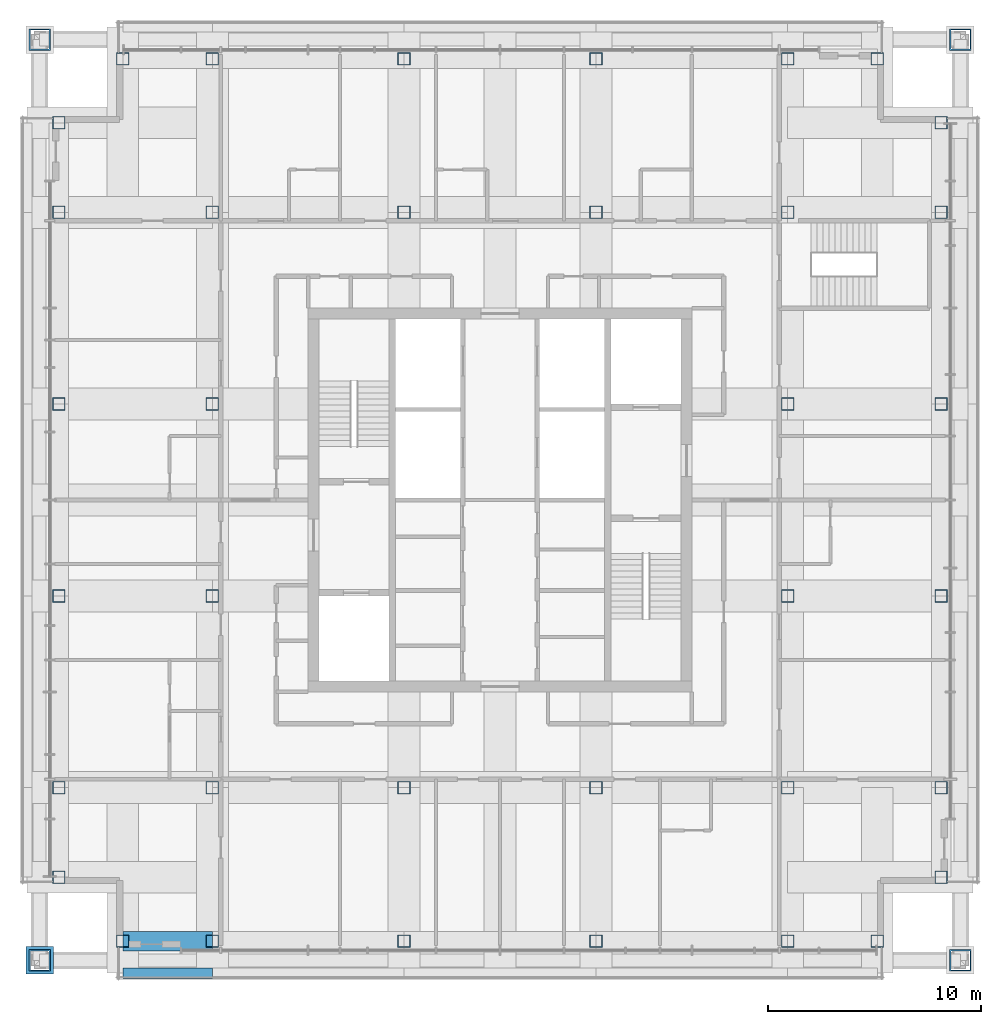
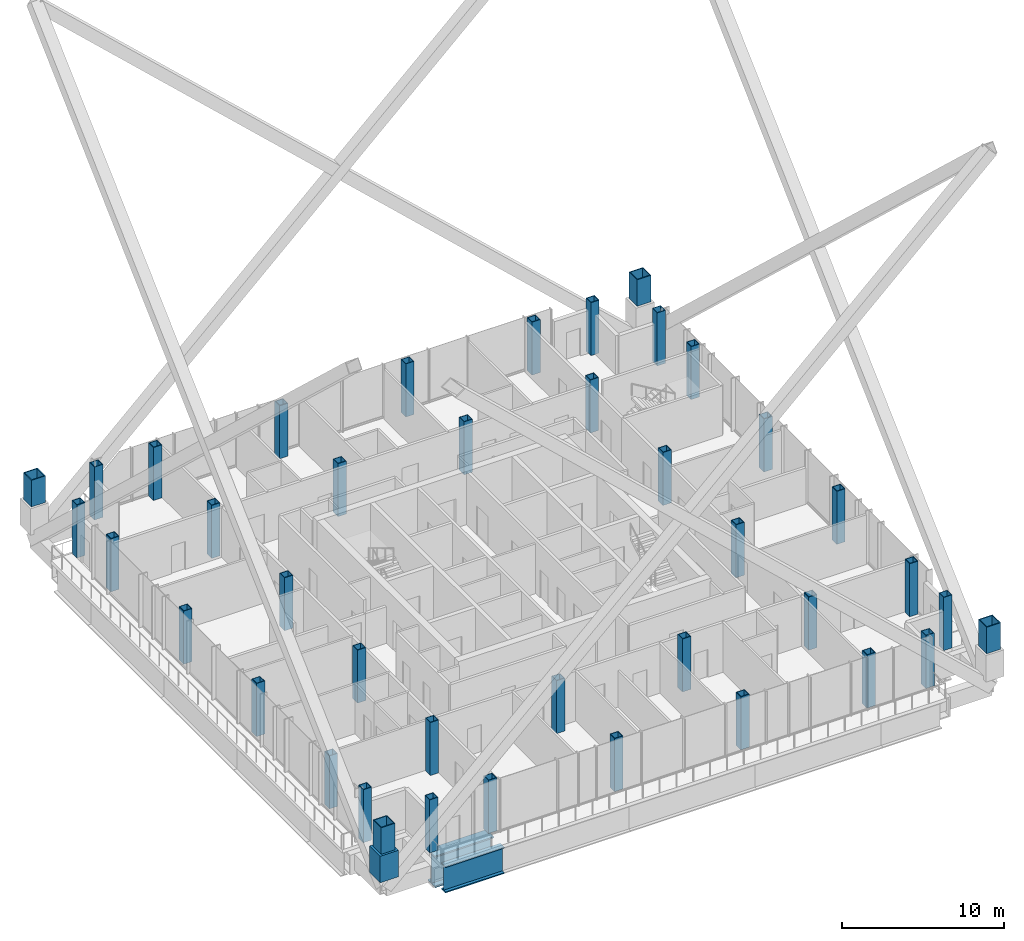
# One storey, part 1 of 19: 40 columns, 2 beams, 1 member.
"""IFC4 building model written with IfcOpenShell, lengths in metres."""

from ifc_helpers import new_model, si_unit, direction, frame, origin, origin_2d, place, context, subcontext, project, spatial, hollow_rectangle, i_section, extrude, material, material_profile, profile_set, type_object, element, save


model = new_model("IFC4")

# Units and contexts
model_context = context("Model", 3, precision=1e-05, world=origin(), true_north=direction((0.0, 1.0)))
body_context = subcontext(model_context, "Body", "Model", "MODEL_VIEW")
ifc_project = project(units=[si_unit("LENGTHUNIT", "METRE"), si_unit("AREAUNIT", "SQUARE_METRE"), si_unit("VOLUMEUNIT", "CUBIC_METRE"), si_unit("PLANEANGLEUNIT", "RADIAN"), si_unit("MASSUNIT", "GRAM", prefix="KILO")], contexts=[model_context])

# Site, building, storey
site_placement = place(None, origin())
site = spatial("IfcSite", under=ifc_project, at=site_placement, CompositionType="ELEMENT")
building_placement = place(site_placement, origin())
building = spatial("IfcBuilding", under=site, at=building_placement, Name="Malebo Sky Hospital", CompositionType="ELEMENT")
storey_placement = place(building_placement, frame((0.0, 0.0, 250.0)))
storey = spatial("IfcBuildingStorey", under=building, at=storey_placement, Name="L60", CompositionType="ELEMENT", Elevation=250.0)

# Columns
ifc_material_1 = material(Name="Steel S460", Category="steel")
ifc_material_profile_1 = material_profile(ifc_material_1, hollow_rectangle(XDim=0.60009765625, YDim=0.60009765625, WallThickness=0.0400390625, at=origin_2d()), Name="BOX 600x600x40")
ifc_profile_set_1 = profile_set([ifc_material_profile_1], Name="Steel S460")
column_type_1 = type_object("IfcColumnType", Name="INNER COLUMN BOX 600x600x40", PredefinedType="COLUMN", material=ifc_profile_set_1)
for number, where, z_axis, x_axis, name in (
    (1, (46.5, 48.5, 0.0), (0.0, 0.0, 1.0), (1.0, 0.0, 0.0), "Column IC4 L60"),
    (2, (73.5, 48.5, 0.0), (0.0, 0.0, 1.0), (1.0, 0.0, 0.0), "Column IC4 L60"),
    (3, (73.5, 75.5, 0.0), (0.0, 0.0, 1.0), (1.0, 0.0, 0.0), "Column IC4 L60"),
    (4, (46.5, 75.5, 0.0), (0.0, 0.0, 1.0), (1.0, 0.0, 0.0), "Column IC4 L60"),
    (5, (55.5, 48.5, 0.0), (0.0, 0.0, 1.0), (1.0, 0.0, 0.0), "Column IC4 L60"),
    (6, (64.5, 48.5, 0.0), (0.0, 0.0, 1.0), (1.0, 0.0, 0.0), "Column IC4 L60"),
    (7, (55.5, 75.5, 0.0), (0.0, 0.0, 1.0), (1.0, 0.0, 0.0), "Column IC4 L60"),
    (8, (64.5, 75.5, 0.0), (0.0, 0.0, 1.0), (1.0, 0.0, 0.0), "Column IC4 L60"),
    (9, (46.5, 57.5, 0.0), (0.0, 0.0, 1.0), (1.0, 0.0, 0.0), "Column IC4 L60"),
    (10, (46.5, 66.5, 0.0), (0.0, 0.0, 1.0), (1.0, 0.0, 0.0), "Column IC4 L60"),
    (11, (73.5, 57.5, 0.0), (0.0, 0.0, 1.0), (1.0, 0.0, 0.0), "Column IC4 L60"),
    (12, (73.5, 66.5, 0.0), (0.0, 0.0, 1.0), (1.0, 0.0, 0.0), "Column IC4 L60"),
):
    element("IfcColumn", number, at=place(storey_placement, frame(where, z_axis=z_axis, x_axis=x_axis)), inside=storey, type_object=column_type_1, Name=name, PredefinedType="COLUMN", context=body_context, shape_type="SweptSolid", body=[
        extrude(hollow_rectangle(XDim=0.60009765625, YDim=0.60009765625, WallThickness=0.0400390625, at=origin_2d()), origin(), (0.0, 0.0, 1.0), 4.0),
    ])
ifc_material_profile_2 = material_profile(ifc_material_1, hollow_rectangle(XDim=1.0, YDim=1.0, WallThickness=0.06005859375, at=origin_2d()), Name="BOX 1000x1000x60")
ifc_profile_set_2 = profile_set([ifc_material_profile_2], Name="Steel S460")
column_type_2 = type_object("IfcColumnType", Name="MEGA COLUMN BOX 1000x1000x60", PredefinedType="COLUMN", material=ifc_profile_set_2)
for number, where, z_axis, x_axis, name in (
    (13, (38.39990234375, 40.39990234375, 2.0), (0.0, 0.0, 1.0), (1.0, 0.0, 0.0), "Mega column SW L60"),
    (14, (81.60009765625, 40.39990234375, 2.0), (0.0, 0.0, 1.0), (1.0, 0.0, 0.0), "Mega column SE L60"),
    (15, (81.60009765625, 83.60009765625, 2.0), (0.0, 0.0, 1.0), (1.0, 0.0, 0.0), "Mega column NE L60"),
    (16, (38.39990234375, 83.60009765625, 2.0), (0.0, 0.0, 1.0), (1.0, 0.0, 0.0), "Mega column NW L60"),
):
    element("IfcColumn", number, at=place(storey_placement, frame(where, z_axis=z_axis, x_axis=x_axis)), inside=storey, type_object=column_type_2, Name=name, PredefinedType="COLUMN", context=body_context, shape_type="SweptSolid", body=[
        extrude(hollow_rectangle(XDim=1.0, YDim=1.0, WallThickness=0.06005859375, at=origin_2d()), origin(), (0.0, 0.0, 1.0), 2.0),
    ])
ifc_material_profile_3 = material_profile(ifc_material_1, hollow_rectangle(XDim=0.60009765625, YDim=0.60009765625, WallThickness=0.0400390625, at=origin_2d()), Name="BOX 600x600x40")
ifc_profile_set_3 = profile_set([ifc_material_profile_3], Name="Steel S460")
column_type_3 = type_object("IfcColumnType", Name="PERIMETER COLUMN BOX 600x600x40", PredefinedType="COLUMN", material=ifc_profile_set_3)
for number, where, z_axis, x_axis, name in (
    (17, (42.300048828125, 41.300048828125, 0.0), (0.0, 0.0, 1.0), (1.0, 0.0, 0.0), "Column PC4 L60"),
    (18, (42.300048828125, 82.699951171875, 0.0), (0.0, 0.0, 1.0), (1.0, 0.0, 0.0), "Column PC4 L60"),
    (19, (39.300048828125, 44.300048828125, 0.0), (0.0, 0.0, 1.0), (1.0, 0.0, 0.0), "Column PC4 L60"),
    (20, (80.699951171875, 44.300048828125, 0.0), (0.0, 0.0, 1.0), (1.0, 0.0, 0.0), "Column PC4 L60"),
    (21, (46.5, 41.300048828125, 0.0), (0.0, 0.0, 1.0), (1.0, 0.0, 0.0), "Column PC4 L60"),
    (22, (46.5, 82.699951171875, 0.0), (0.0, 0.0, 1.0), (1.0, 0.0, 0.0), "Column PC4 L60"),
    (23, (39.300048828125, 48.5, 0.0), (0.0, 0.0, 1.0), (1.0, 0.0, 0.0), "Column PC4 L60"),
    (24, (80.699951171875, 48.5, 0.0), (0.0, 0.0, 1.0), (1.0, 0.0, 0.0), "Column PC4 L60"),
    (25, (55.5, 41.300048828125, 0.0), (0.0, 0.0, 1.0), (1.0, 0.0, 0.0), "Column PC4 L60"),
    (26, (55.5, 82.699951171875, 0.0), (0.0, 0.0, 1.0), (1.0, 0.0, 0.0), "Column PC4 L60"),
    (27, (39.300048828125, 57.5, 0.0), (0.0, 0.0, 1.0), (1.0, 0.0, 0.0), "Column PC4 L60"),
    (28, (80.699951171875, 57.5, 0.0), (0.0, 0.0, 1.0), (1.0, 0.0, 0.0), "Column PC4 L60"),
    (29, (64.5, 41.300048828125, 0.0), (0.0, 0.0, 1.0), (1.0, 0.0, 0.0), "Column PC4 L60"),
    (30, (64.5, 82.699951171875, 0.0), (0.0, 0.0, 1.0), (1.0, 0.0, 0.0), "Column PC4 L60"),
    (31, (39.300048828125, 66.5, 0.0), (0.0, 0.0, 1.0), (1.0, 0.0, 0.0), "Column PC4 L60"),
    (32, (80.699951171875, 66.5, 0.0), (0.0, 0.0, 1.0), (1.0, 0.0, 0.0), "Column PC4 L60"),
    (33, (73.5, 41.300048828125, 0.0), (0.0, 0.0, 1.0), (1.0, 0.0, 0.0), "Column PC4 L60"),
    (34, (73.5, 82.699951171875, 0.0), (0.0, 0.0, 1.0), (1.0, 0.0, 0.0), "Column PC4 L60"),
    (35, (39.300048828125, 75.5, 0.0), (0.0, 0.0, 1.0), (1.0, 0.0, 0.0), "Column PC4 L60"),
    (36, (80.699951171875, 75.5, 0.0), (0.0, 0.0, 1.0), (1.0, 0.0, 0.0), "Column PC4 L60"),
    (37, (77.699951171875, 41.300048828125, 0.0), (0.0, 0.0, 1.0), (1.0, 0.0, 0.0), "Column PC4 L60"),
    (38, (77.699951171875, 82.699951171875, 0.0), (0.0, 0.0, 1.0), (1.0, 0.0, 0.0), "Column PC4 L60"),
    (39, (39.300048828125, 79.699951171875, 0.0), (0.0, 0.0, 1.0), (1.0, 0.0, 0.0), "Column PC4 L60"),
    (40, (80.699951171875, 79.699951171875, 0.0), (0.0, 0.0, 1.0), (1.0, 0.0, 0.0), "Column PC4 L60"),
):
    element("IfcColumn", number, at=place(storey_placement, frame(where, z_axis=z_axis, x_axis=x_axis)), inside=storey, type_object=column_type_3, Name=name, PredefinedType="COLUMN", context=body_context, shape_type="SweptSolid", body=[
        extrude(hollow_rectangle(XDim=0.60009765625, YDim=0.60009765625, WallThickness=0.0400390625, at=origin_2d()), origin(), (0.0, 0.0, 1.0), 4.0),
    ])

# Member
ifc_material_profile_4 = material_profile(ifc_material_1, hollow_rectangle(XDim=1.300048828125, YDim=1.300048828125, WallThickness=0.199951171875, at=origin_2d()), Name="BOX 1300x1300x200")
ifc_profile_set_4 = profile_set([ifc_material_profile_4], Name="Steel S460")
member_type = type_object("IfcMemberType", Name="MEGA COLUMN NODE BOX 1300x1300x200", PredefinedType="MEMBER", material=ifc_profile_set_4)
member_placement = place(storey_placement, frame((38.39990234375, 40.39990234375, 0.0), z_axis=(0.0, 0.0, 1.0), x_axis=(1.0, 0.0, 0.0)))
element("IfcMember", 41, at=member_placement, inside=storey, type_object=member_type, Name="Mega column node SW L60", PredefinedType="MEMBER", context=body_context, shape_type="SweptSolid", body=[
    extrude(hollow_rectangle(XDim=1.300048828125, YDim=1.300048828125, WallThickness=0.199951171875, at=origin_2d()), origin(), (0.0, 0.0, 1.0), 2.0),
])

# Beams
ifc_material_2 = material(Name="Steel S355", Category="steel")
ifc_material_profile_5 = material_profile(ifc_material_2, i_section(OverallWidth=0.5, OverallDepth=2.0, WebThickness=0.0400390625, FlangeThickness=0.080078125, at=origin_2d()), Name="PG 2000x500x40x80")
ifc_profile_set_5 = profile_set([ifc_material_profile_5], Name="Steel S355")
beam_type_1 = type_object("IfcBeamType", Name="TRANSFER GIRDER PG 2000x500x40x80", PredefinedType="BEAM", material=ifc_profile_set_5)
beam_1_placement = place(storey_placement, frame((42.300048828125, 39.800048828125, -1.25), z_axis=(1.0, 0.0, 0.0), x_axis=(0.0, 1.0, 0.0)))
element("IfcBeam", 42, at=beam_1_placement, inside=storey, type_object=beam_type_1, Name="Beam 036 L60", PredefinedType="BEAM", context=body_context, shape_type="SweptSolid", body=[
    extrude(i_section(OverallWidth=0.5, OverallDepth=2.0, WebThickness=0.0400390625, FlangeThickness=0.080078125, at=origin_2d()), origin(), (0.0, 0.0, 1.0), 4.199951171875),
])
ifc_material_profile_6 = material_profile(ifc_material_2, i_section(OverallWidth=0.89990234375, OverallDepth=2.39990234375, WebThickness=0.050048828125, FlangeThickness=0.10009765625, at=origin_2d()), Name="PG 2400x900x50x100")
ifc_profile_set_6 = profile_set([ifc_material_profile_6], Name="Steel S355")
beam_type_2 = type_object("IfcBeamType", Name="TRANSFER GIRDER PG 2400x900x50x100", PredefinedType="BEAM", material=ifc_profile_set_6)
beam_2_placement = place(storey_placement, frame((42.300048828125, 41.300048828125, -1.449951171875), z_axis=(1.0, 0.0, 0.0), x_axis=(0.0, 1.0, 0.0)))
element("IfcBeam", 43, at=beam_2_placement, inside=storey, type_object=beam_type_2, Name="Beam 041 L60", PredefinedType="BEAM", context=body_context, shape_type="SweptSolid", body=[
    extrude(i_section(OverallWidth=0.89990234375, OverallDepth=2.39990234375, WebThickness=0.050048828125, FlangeThickness=0.10009765625, at=origin_2d()), origin(), (0.0, 0.0, 1.0), 4.199951171875),
])

save(model, "model.ifc")
